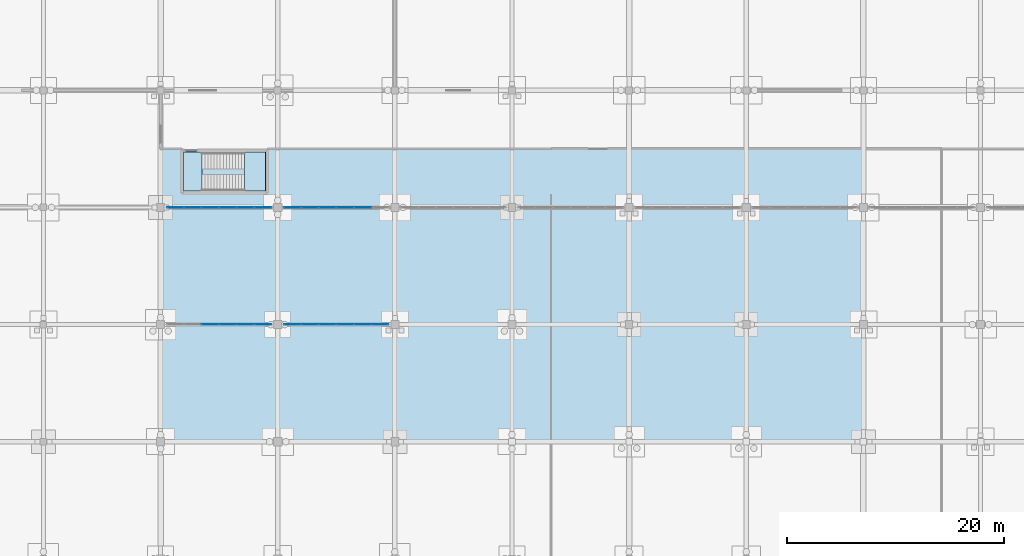
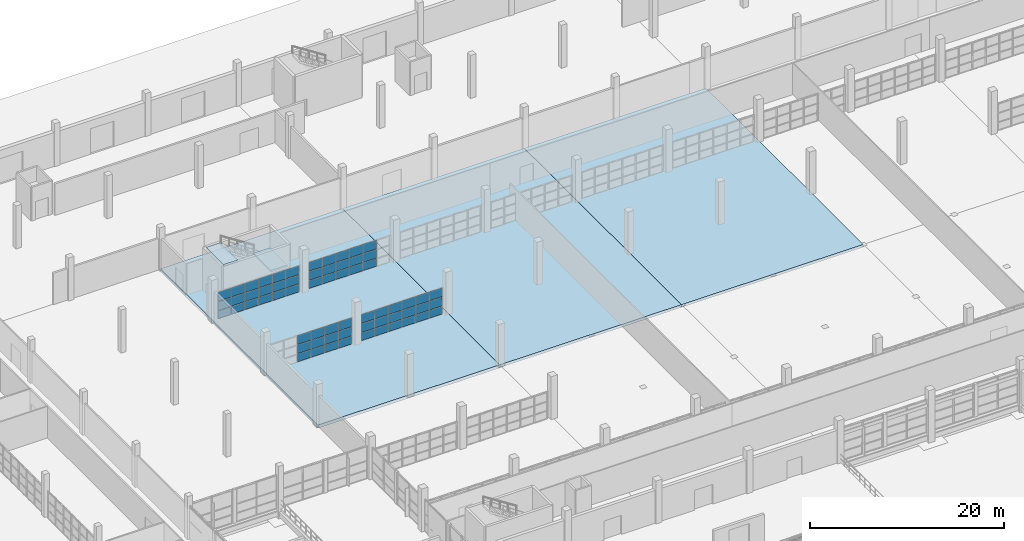
# One storey, part 90 of 138: 63 plates, 5 slabs, 5 elements without a shape of their own.
"""IFC4 building model written with IfcOpenShell, lengths in metres."""

import ifcopenshell
import ifcopenshell.guid

model = None  # the IFC model being written
_history = None  # IfcOwnerHistory: only IFC2X3 demands one
_inside = {}  # id of a spatial element -> (the spatial element, [elements in it])
_under = {}  # id of a project, library or spatial element -> (it, [spatial elements below it])
_declared = {}  # id of a project -> (the project, [libraries it declares])
_typed = {}  # id of a type object -> (the type object, [elements of that type])
_made_of = {}  # id of a material, layer set ... -> (it, [elements and type objects made of it])


def new_model(schema):
    """Start an empty IFC model of exactly this schema.

    Asked for "IFC4X3", IfcOpenShell would pick the latest addendum, in which some entities
    have other attributes; the version numbers below select the first issue.
    IFC2X3 requires an IfcOwnerHistory on every rooted entity: one is made here for all.
    """
    global model, _history
    if schema == "IFC4X3":
        model = ifcopenshell.file(schema_version=(4, 3, 0, 0))
    else:
        model = ifcopenshell.file(schema=schema)
    _inside.clear()
    _under.clear()
    _declared.clear()
    _typed.clear()
    _made_of.clear()
    _history = None
    if model.schema == "IFC2X3":
        org = make("IfcOrganization", Name="unknown")
        user = make(
            "IfcPersonAndOrganization",
            ThePerson=make("IfcPerson", FamilyName="unknown"),
            TheOrganization=org,
        )
        app = make(
            "IfcApplication",
            ApplicationDeveloper=org,
            Version="unknown",
            ApplicationFullName="unknown",
            ApplicationIdentifier="unknown",
        )
        _history = make(
            "IfcOwnerHistory",
            OwningUser=user,
            OwningApplication=app,
            ChangeAction="ADDED",
            CreationDate=0,
        )
    return model


def make(cls, **values):
    """One entity of the class cls with the attributes given. An attribute that is None is left unset."""
    return model.create_entity(
        cls, **{name: value for name, value in values.items() if value is not None}
    )


def rooted(cls, **values):
    """An entity with a GlobalId (a new one), such as an element, a storey or a relation."""
    return make(cls, GlobalId=ifcopenshell.guid.new(), OwnerHistory=_history, **values)


def si_unit(unit_type, name, prefix=None):
    """IfcSIUnit, for example si_unit("LENGTHUNIT", "METRE", prefix="MILLI")."""
    return make("IfcSIUnit", UnitType=unit_type, Prefix=prefix, Name=name)


def assignment(units):
    """IfcUnitAssignment: the units of a project."""
    return None if units is None else make("IfcUnitAssignment", Units=units)


def point(xyz):
    """IfcCartesianPoint."""
    return None if xyz is None else make("IfcCartesianPoint", Coordinates=xyz)


def direction(xyz):
    """IfcDirection."""
    return None if xyz is None else make("IfcDirection", DirectionRatios=xyz)


def frame(location, z_axis=None, x_axis=None):
    """IfcAxis2Placement3D, a coordinate frame: its origin and axes. An axis left out is left unset."""
    return make(
        "IfcAxis2Placement3D",
        Location=point(location),
        Axis=direction(z_axis),
        RefDirection=direction(x_axis),
    )


def frame_2d(location, x_axis=None):
    """IfcAxis2Placement2D, a coordinate frame in the plane: its origin and x axis."""
    return make(
        "IfcAxis2Placement2D", Location=point(location), RefDirection=direction(x_axis)
    )


def origin():
    """The frame at (0, 0, 0) with its axes left unset."""
    return frame((0.0, 0.0, 0.0))


def origin_2d():
    """The frame at (0, 0) in the plane with its x axis left unset."""
    return frame_2d((0.0, 0.0))


def place(relative_to, where):
    """IfcLocalPlacement: puts the frame where relative to a parent placement (None: the world)."""
    return make(
        "IfcLocalPlacement", PlacementRelTo=relative_to, RelativePlacement=where
    )


def context(
    kind, dimensions, precision=None, world=None, true_north=None, identifier=None
):
    """IfcGeometricRepresentationContext, for example the 3D "Model" context."""
    return make(
        "IfcGeometricRepresentationContext",
        ContextIdentifier=identifier,
        ContextType=kind,
        CoordinateSpaceDimension=dimensions,
        Precision=precision,
        WorldCoordinateSystem=world,
        TrueNorth=true_north,
    )


def subcontext(parent, identifier, kind, view, scale=None):
    """IfcGeometricRepresentationSubContext, for example "Body" below "Model"."""
    return make(
        "IfcGeometricRepresentationSubContext",
        ContextIdentifier=identifier,
        ContextType=kind,
        ParentContext=parent,
        TargetScale=scale,
        TargetView=view,
    )


def project(units=None, contexts=None):
    """IfcProject with its units and contexts."""
    return rooted(
        "IfcProject",
        Name="project",
        RepresentationContexts=contexts,
        UnitsInContext=assignment(units),
    )


def spatial(cls, under=None, at=None, **own):
    """A site, building, storey or space (cls), placed at a placement, below another one or the project."""
    s = rooted(cls, ObjectPlacement=at, **own)
    if under is not None:
        _under.setdefault(under.id(), (under, []))[1].append(s)
    return s


def polyline(points):
    """IfcPolyline through the points."""
    return make("IfcPolyline", Points=[point(p) for p in points])


def profile(cls, at=None, kind="AREA", **sizes):
    """A parametric profile (cls). Its sizes go by their IFC names, for example OverallWidth=200.0."""
    return make(cls, ProfileType=kind, Position=at, **sizes)


def rectangle(**sizes):
    """IfcRectangleProfileDef."""
    return profile("IfcRectangleProfileDef", **sizes)


def outline(outer, holes=None, kind="AREA"):
    """IfcArbitraryClosedProfileDef: a profile drawn as a closed curve; with holes, ...WithVoids."""
    if holes is None:
        return make("IfcArbitraryClosedProfileDef", ProfileType=kind, OuterCurve=outer)
    return make(
        "IfcArbitraryProfileDefWithVoids",
        ProfileType=kind,
        OuterCurve=outer,
        InnerCurves=holes,
    )


def extrude(swept, where, along, depth):
    """IfcExtrudedAreaSolid: the profile swept, set in the frame where, extruded along a direction by depth."""
    return make(
        "IfcExtrudedAreaSolid",
        SweptArea=swept,
        Position=where,
        ExtrudedDirection=direction(along),
        Depth=depth,
    )


def shape(context_of_items, identifier, shape_type, items):
    """IfcShapeRepresentation: the items that make up one representation, for example the "Body"."""
    return make(
        "IfcShapeRepresentation",
        ContextOfItems=context_of_items,
        RepresentationIdentifier=identifier,
        RepresentationType=shape_type,
        Items=items,
    )


def material(Name=None, Category=None):
    """IfcMaterial."""
    return make("IfcMaterial", Name=Name, Category=Category)


def layer(
    of_material, thickness, ventilated=None, Name=None, Category=None, Priority=None
):
    """IfcMaterialLayer: one layer of a wall or slab, of a material (None: an air gap)."""
    return make(
        "IfcMaterialLayer",
        Material=of_material,
        LayerThickness=thickness,
        IsVentilated=ventilated,
        Name=Name,
        Category=Category,
        Priority=Priority,
    )


def layer_set(layers, Name=None):
    """IfcMaterialLayerSet."""
    return make("IfcMaterialLayerSet", MaterialLayers=layers, LayerSetName=Name)


def made_of(thing, what):
    """Note that an element or type object is made of a material, layer set ...; save() writes the relation."""
    if what is not None:
        _made_of.setdefault(what.id(), (what, []))[1].append(thing)
    return thing


def type_object(cls, material=None, **own):
    """A type object (cls), such as IfcWallType, which elements share."""
    return made_of(rooted(cls, **own), material)


def element(
    cls,
    number,
    at=None,
    inside=None,
    cuts=None,
    type_object=None,
    material=None,
    context=None,
    identifier="Body",
    shape_type=None,
    held_by="IfcProductDefinitionShape",
    body=None,
    shapes=None,
    **own,
):
    """One element of the class cls, such as IfcWall. Its Tag is "e" and its number.

    at: its placement. inside: the storey or other place that contains it. cuts: it is an
    opening in that element (IfcRelVoidsElement). A single representation is given by context,
    identifier, shape_type and body (its items); several are given by shapes. held_by: the class
    of the entity that holds the representations. save() writes the other relations.
    """
    e = rooted(cls, Tag="e%d" % number, ObjectPlacement=at, **own)
    if body is not None:
        shapes = [shape(context, identifier, shape_type, body)]
    if shapes is not None:
        e.Representation = make(held_by, Representations=shapes)
    if inside is not None:
        _inside.setdefault(inside.id(), (inside, []))[1].append(e)
    if cuts is not None:
        rooted(
            "IfcRelVoidsElement", RelatingBuildingElement=cuts, RelatedOpeningElement=e
        )
    if type_object is not None:
        _typed.setdefault(type_object.id(), (type_object, []))[1].append(e)
    return made_of(e, material)


def aggregate(whole, parts):
    """IfcRelAggregates: a whole, such as a stair, and the parts it consists of."""
    return rooted("IfcRelAggregates", RelatingObject=whole, RelatedObjects=parts)


def save(model, path):
    """Write the relations noted so far, then the file.

    IfcRelAggregates (storeys below a building ...), IfcRelContainedInSpatialStructure (elements
    in a storey), IfcRelDefinesByType, IfcRelAssociatesMaterial and IfcRelDeclares: one each for
    every whole, place, type object, material and project.
    """
    for whole, parts in _under.values():
        aggregate(whole, parts)
    for where, things in _inside.values():
        rooted(
            "IfcRelContainedInSpatialStructure",
            RelatedElements=things,
            RelatingStructure=where,
        )
    for kind, things in _typed.values():
        rooted("IfcRelDefinesByType", RelatedObjects=things, RelatingType=kind)
    for what, things in _made_of.values():
        rooted("IfcRelAssociatesMaterial", RelatedObjects=things, RelatingMaterial=what)
    for by, libraries in _declared.values():
        rooted("IfcRelDeclares", RelatingContext=by, RelatedDefinitions=libraries)
    model.write(path)


model = new_model("IFC4")

# Units and contexts
model_context = context("Model", 3, precision=1e-05, world=origin(), true_north=direction((0.0, 1.0)))
body_context = subcontext(model_context, "Body", "Model", "MODEL_VIEW")
ifc_project = project(units=[si_unit("LENGTHUNIT", "METRE"), si_unit("AREAUNIT", "SQUARE_METRE"), si_unit("VOLUMEUNIT", "CUBIC_METRE"), si_unit("PLANEANGLEUNIT", "RADIAN"), si_unit("MASSUNIT", "GRAM", prefix="KILO")], contexts=[model_context])

# Site, building, storey
site_placement = place(None, origin())
site = spatial("IfcSite", under=ifc_project, at=site_placement, CompositionType="ELEMENT")
building_placement = place(site_placement, origin())
building = spatial("IfcBuilding", under=site, at=building_placement, Name="Zwinboog Wholesale Market", CompositionType="ELEMENT")
storey_placement = place(building_placement, origin())
storey = spatial("IfcBuildingStorey", under=building, at=storey_placement, Name="L00", CompositionType="ELEMENT", Elevation=0.0)

# Slabs
ifc_material_1 = material(Name="Precast concrete C45/55", Category="concrete")
ifc_layer_1 = layer(ifc_material_1, 0.342041015625)
ifc_layer_set_1 = layer_set([ifc_layer_1], Name="Precast concrete C45/55")
slab_type_1 = type_object("IfcSlabType", Name="SLT-BS-310", PredefinedType="BASESLAB", material=ifc_layer_set_1)
slab_1_placement = place(storey_placement, frame((0.0, 0.0, -0.342041015625)))
element("IfcSlab", 1, at=slab_1_placement, inside=storey, type_object=slab_type_1, Name="SB-342 (SLB-L00-011)", PredefinedType="BASESLAB", context=body_context, shape_type="SweptSolid", body=[
    extrude(outline(polyline([(108.0, 75.60009765625), (129.60009765625, 75.60009765625), (129.60009765625, 108.0), (108.0, 108.0), (108.0, 75.60009765625)])), origin(), (0.0, 0.0, 1.0), 0.342041015625),
])
ifc_layer_2 = layer(ifc_material_1, 0.35009765625)
ifc_layer_set_2 = layer_set([ifc_layer_2], Name="Precast concrete C45/55")
slab_type_2 = type_object("IfcSlabType", Name="SLT-BS-350", PredefinedType="BASESLAB", material=ifc_layer_set_2)
slab_2_placement = place(storey_placement, frame((0.0, 0.0, -0.35009765625)))
element("IfcSlab", 2, at=slab_2_placement, inside=storey, type_object=slab_type_2, Name="SB-350 (SLB-L00-009)", PredefinedType="BASESLAB", context=body_context, shape_type="SweptSolid", body=[
    extrude(outline(polyline([(86.39990234375, 75.60009765625), (108.0, 75.60009765625), (108.0, 108.0), (86.39990234375, 108.0), (86.39990234375, 75.60009765625)])), origin(), (0.0, 0.0, 1.0), 0.35009765625),
])
ifc_layer_3 = layer(ifc_material_1, 0.39501953125)
ifc_layer_set_3 = layer_set([ifc_layer_3], Name="Precast concrete C45/55")
slab_type_3 = type_object("IfcSlabType", Name="SLT-BS-395", PredefinedType="BASESLAB", material=ifc_layer_set_3)
slab_3_placement = place(storey_placement, frame((0.0, 0.0, -0.39501953125)))
element("IfcSlab", 3, at=slab_3_placement, inside=storey, type_object=slab_type_3, Name="SB-395 (SLB-L00-007)", PredefinedType="BASESLAB", context=body_context, shape_type="SweptSolid", body=[
    extrude(outline(polyline([(64.800048828125, 75.60009765625), (86.39990234375, 75.60009765625), (86.39990234375, 108.0), (64.800048828125, 108.0), (64.800048828125, 75.60009765625)])), origin(), (0.0, 0.0, 1.0), 0.39501953125),
])

# Curtain wall, plates
ifc_material_2 = material(Name="Aluminium thermally broken curtain wall", Category="aluminium")
curtain_wall_type = type_object("IfcCurtainWallType", Name="CWT-INT-STALL", PredefinedType="USERDEFINED", material=ifc_material_2)
curtain_wall_1_placement = place(storey_placement, origin())
curtain_wall_1 = element("IfcCurtainWall", 4, at=curtain_wall_1_placement, inside=storey, type_object=curtain_wall_type, Name="CW-07 (CW-STL-195)", ObjectType="STOREFRONT_GLAZING", PredefinedType="USERDEFINED")
ifc_material_3 = material(Name="Tempered laminated market stall glazing", Category="glass")
ifc_layer_4 = layer(ifc_material_3, 0.01611328125)
ifc_layer_set_4 = layer_set([ifc_layer_4], Name="Tempered laminated market stall glazing")
plate_type = type_object("IfcPlateType", Name="CWP-INT-16", PredefinedType="CURTAIN_PANEL", material=ifc_layer_set_4)
plate_1_placement = place(storey_placement, frame((69.3916015625, 86.39990234375, 0.06005859375), z_axis=(0.0, 0.0, 1.0), x_axis=(1.0, 0.0, 0.0)))
plate_1 = element("IfcPlate", 5, at=plate_1_placement, type_object=plate_type, Name="CW-07 panel 3.1", PredefinedType="CURTAIN_PANEL", context=body_context, shape_type="SweptSolid", body=[
    extrude(rectangle(XDim=1.556640625, YDim=0.01611328125, at=origin_2d()), origin(), (0.0, 0.0, 1.0), 0.9599609375),
])
plate_2_placement = place(storey_placement, frame((69.3916015625, 86.39990234375, 1.080078125), z_axis=(0.0, 0.0, 1.0), x_axis=(1.0, 0.0, 0.0)))
plate_2 = element("IfcPlate", 6, at=plate_2_placement, type_object=plate_type, Name="CW-07 panel 3.2", PredefinedType="CURTAIN_PANEL", context=body_context, shape_type="SweptSolid", body=[
    extrude(rectangle(XDim=1.556640625, YDim=0.01611328125, at=origin_2d()), origin(), (0.0, 0.0, 1.0), 1.090087890625),
])
plate_3_placement = place(storey_placement, frame((69.3916015625, 86.39990234375, 2.22998046875), z_axis=(0.0, 0.0, 1.0), x_axis=(1.0, 0.0, 0.0)))
plate_3 = element("IfcPlate", 7, at=plate_3_placement, type_object=plate_type, Name="CW-07 panel 3.3", PredefinedType="CURTAIN_PANEL", context=body_context, shape_type="SweptSolid", body=[
    extrude(rectangle(XDim=1.556640625, YDim=0.01611328125, at=origin_2d()), origin(), (0.0, 0.0, 1.0), 1.110107421875),
])
plate_4_placement = place(storey_placement, frame((71.00830078125, 86.39990234375, 0.06005859375), z_axis=(0.0, 0.0, 1.0), x_axis=(1.0, 0.0, 0.0)))
plate_4 = element("IfcPlate", 8, at=plate_4_placement, type_object=plate_type, Name="CW-07 panel 4.1", PredefinedType="CURTAIN_PANEL", context=body_context, shape_type="SweptSolid", body=[
    extrude(rectangle(XDim=1.556640625, YDim=0.01611328125, at=origin_2d()), origin(), (0.0, 0.0, 1.0), 0.9599609375),
])
plate_5_placement = place(storey_placement, frame((71.00830078125, 86.39990234375, 1.080078125), z_axis=(0.0, 0.0, 1.0), x_axis=(1.0, 0.0, 0.0)))
plate_5 = element("IfcPlate", 9, at=plate_5_placement, type_object=plate_type, Name="CW-07 panel 4.2", PredefinedType="CURTAIN_PANEL", context=body_context, shape_type="SweptSolid", body=[
    extrude(rectangle(XDim=1.556640625, YDim=0.01611328125, at=origin_2d()), origin(), (0.0, 0.0, 1.0), 1.090087890625),
])
plate_6_placement = place(storey_placement, frame((71.00830078125, 86.39990234375, 2.22998046875), z_axis=(0.0, 0.0, 1.0), x_axis=(1.0, 0.0, 0.0)))
plate_6 = element("IfcPlate", 10, at=plate_6_placement, type_object=plate_type, Name="CW-07 panel 4.3", PredefinedType="CURTAIN_PANEL", context=body_context, shape_type="SweptSolid", body=[
    extrude(rectangle(XDim=1.556640625, YDim=0.01611328125, at=origin_2d()), origin(), (0.0, 0.0, 1.0), 1.110107421875),
])
plate_7_placement = place(storey_placement, frame((72.625, 86.39990234375, 0.06005859375), z_axis=(0.0, 0.0, 1.0), x_axis=(1.0, 0.0, 0.0)))
plate_7 = element("IfcPlate", 11, at=plate_7_placement, type_object=plate_type, Name="CW-07 panel 5.1", PredefinedType="CURTAIN_PANEL", context=body_context, shape_type="SweptSolid", body=[
    extrude(rectangle(XDim=1.556640625, YDim=0.01611328125, at=origin_2d()), origin(), (0.0, 0.0, 1.0), 0.9599609375),
])
plate_8_placement = place(storey_placement, frame((72.625, 86.39990234375, 1.080078125), z_axis=(0.0, 0.0, 1.0), x_axis=(1.0, 0.0, 0.0)))
plate_8 = element("IfcPlate", 12, at=plate_8_placement, type_object=plate_type, Name="CW-07 panel 5.2", PredefinedType="CURTAIN_PANEL", context=body_context, shape_type="SweptSolid", body=[
    extrude(rectangle(XDim=1.556640625, YDim=0.01611328125, at=origin_2d()), origin(), (0.0, 0.0, 1.0), 1.090087890625),
])
plate_9_placement = place(storey_placement, frame((72.625, 86.39990234375, 2.22998046875), z_axis=(0.0, 0.0, 1.0), x_axis=(1.0, 0.0, 0.0)))
plate_9 = element("IfcPlate", 13, at=plate_9_placement, type_object=plate_type, Name="CW-07 panel 5.3", PredefinedType="CURTAIN_PANEL", context=body_context, shape_type="SweptSolid", body=[
    extrude(rectangle(XDim=1.556640625, YDim=0.01611328125, at=origin_2d()), origin(), (0.0, 0.0, 1.0), 1.110107421875),
])
plate_10_placement = place(storey_placement, frame((74.2265625, 86.39990234375, 0.06005859375), z_axis=(0.0, 0.0, 1.0), x_axis=(1.0, 0.0, 0.0)))
plate_10 = element("IfcPlate", 14, at=plate_10_placement, type_object=plate_type, Name="CW-07 panel 6.1", PredefinedType="CURTAIN_PANEL", context=body_context, shape_type="SweptSolid", body=[
    extrude(rectangle(XDim=1.526611328125, YDim=0.01611328125, at=origin_2d()), origin(), (0.0, 0.0, 1.0), 0.9599609375),
])
plate_11_placement = place(storey_placement, frame((74.2265625, 86.39990234375, 1.080078125), z_axis=(0.0, 0.0, 1.0), x_axis=(1.0, 0.0, 0.0)))
plate_11 = element("IfcPlate", 15, at=plate_11_placement, type_object=plate_type, Name="CW-07 panel 6.2", PredefinedType="CURTAIN_PANEL", context=body_context, shape_type="SweptSolid", body=[
    extrude(rectangle(XDim=1.526611328125, YDim=0.01611328125, at=origin_2d()), origin(), (0.0, 0.0, 1.0), 1.090087890625),
])
plate_12_placement = place(storey_placement, frame((74.2265625, 86.39990234375, 2.22998046875), z_axis=(0.0, 0.0, 1.0), x_axis=(1.0, 0.0, 0.0)))
plate_12 = element("IfcPlate", 16, at=plate_12_placement, type_object=plate_type, Name="CW-07 panel 6.3", PredefinedType="CURTAIN_PANEL", context=body_context, shape_type="SweptSolid", body=[
    extrude(rectangle(XDim=1.526611328125, YDim=0.01611328125, at=origin_2d()), origin(), (0.0, 0.0, 1.0), 1.110107421875),
])
aggregate(curtain_wall_1, [plate_1, plate_2, plate_3, plate_4, plate_5, plate_6, plate_7, plate_8, plate_9, plate_10, plate_11, plate_12])

curtain_wall_2_placement = place(storey_placement, origin())
curtain_wall_2 = element("IfcCurtainWall", 17, at=curtain_wall_2_placement, inside=storey, type_object=curtain_wall_type, Name="CW-07 (CW-STL-196)", ObjectType="STOREFRONT_GLAZING", PredefinedType="USERDEFINED")
plate_13_placement = place(storey_placement, frame((76.973388671875, 86.39990234375, 0.06005859375), z_axis=(0.0, 0.0, 1.0), x_axis=(1.0, 0.0, 0.0)))
plate_13 = element("IfcPlate", 18, at=plate_13_placement, type_object=plate_type, Name="CW-07 panel 1.1", PredefinedType="CURTAIN_PANEL", context=body_context, shape_type="SweptSolid", body=[
    extrude(rectangle(XDim=1.526611328125, YDim=0.01611328125, at=origin_2d()), origin(), (0.0, 0.0, 1.0), 0.9599609375),
])
plate_14_placement = place(storey_placement, frame((76.973388671875, 86.39990234375, 1.080078125), z_axis=(0.0, 0.0, 1.0), x_axis=(1.0, 0.0, 0.0)))
plate_14 = element("IfcPlate", 19, at=plate_14_placement, type_object=plate_type, Name="CW-07 panel 1.2", PredefinedType="CURTAIN_PANEL", context=body_context, shape_type="SweptSolid", body=[
    extrude(rectangle(XDim=1.526611328125, YDim=0.01611328125, at=origin_2d()), origin(), (0.0, 0.0, 1.0), 1.090087890625),
])
plate_15_placement = place(storey_placement, frame((76.973388671875, 86.39990234375, 2.22998046875), z_axis=(0.0, 0.0, 1.0), x_axis=(1.0, 0.0, 0.0)))
plate_15 = element("IfcPlate", 20, at=plate_15_placement, type_object=plate_type, Name="CW-07 panel 1.3", PredefinedType="CURTAIN_PANEL", context=body_context, shape_type="SweptSolid", body=[
    extrude(rectangle(XDim=1.526611328125, YDim=0.01611328125, at=origin_2d()), origin(), (0.0, 0.0, 1.0), 1.110107421875),
])
plate_16_placement = place(storey_placement, frame((78.574951171875, 86.39990234375, 0.06005859375), z_axis=(0.0, 0.0, 1.0), x_axis=(1.0, 0.0, 0.0)))
plate_16 = element("IfcPlate", 21, at=plate_16_placement, type_object=plate_type, Name="CW-07 panel 2.1", PredefinedType="CURTAIN_PANEL", context=body_context, shape_type="SweptSolid", body=[
    extrude(rectangle(XDim=1.556640625, YDim=0.01611328125, at=origin_2d()), origin(), (0.0, 0.0, 1.0), 0.9599609375),
])
plate_17_placement = place(storey_placement, frame((78.574951171875, 86.39990234375, 1.080078125), z_axis=(0.0, 0.0, 1.0), x_axis=(1.0, 0.0, 0.0)))
plate_17 = element("IfcPlate", 22, at=plate_17_placement, type_object=plate_type, Name="CW-07 panel 2.2", PredefinedType="CURTAIN_PANEL", context=body_context, shape_type="SweptSolid", body=[
    extrude(rectangle(XDim=1.556640625, YDim=0.01611328125, at=origin_2d()), origin(), (0.0, 0.0, 1.0), 1.090087890625),
])
plate_18_placement = place(storey_placement, frame((78.574951171875, 86.39990234375, 2.22998046875), z_axis=(0.0, 0.0, 1.0), x_axis=(1.0, 0.0, 0.0)))
plate_18 = element("IfcPlate", 23, at=plate_18_placement, type_object=plate_type, Name="CW-07 panel 2.3", PredefinedType="CURTAIN_PANEL", context=body_context, shape_type="SweptSolid", body=[
    extrude(rectangle(XDim=1.556640625, YDim=0.01611328125, at=origin_2d()), origin(), (0.0, 0.0, 1.0), 1.110107421875),
])
plate_19_placement = place(storey_placement, frame((80.191650390625, 86.39990234375, 0.06005859375), z_axis=(0.0, 0.0, 1.0), x_axis=(1.0, 0.0, 0.0)))
plate_19 = element("IfcPlate", 24, at=plate_19_placement, type_object=plate_type, Name="CW-07 panel 3.1", PredefinedType="CURTAIN_PANEL", context=body_context, shape_type="SweptSolid", body=[
    extrude(rectangle(XDim=1.556640625, YDim=0.01611328125, at=origin_2d()), origin(), (0.0, 0.0, 1.0), 0.9599609375),
])
plate_20_placement = place(storey_placement, frame((80.191650390625, 86.39990234375, 1.080078125), z_axis=(0.0, 0.0, 1.0), x_axis=(1.0, 0.0, 0.0)))
plate_20 = element("IfcPlate", 25, at=plate_20_placement, type_object=plate_type, Name="CW-07 panel 3.2", PredefinedType="CURTAIN_PANEL", context=body_context, shape_type="SweptSolid", body=[
    extrude(rectangle(XDim=1.556640625, YDim=0.01611328125, at=origin_2d()), origin(), (0.0, 0.0, 1.0), 1.090087890625),
])
plate_21_placement = place(storey_placement, frame((80.191650390625, 86.39990234375, 2.22998046875), z_axis=(0.0, 0.0, 1.0), x_axis=(1.0, 0.0, 0.0)))
plate_21 = element("IfcPlate", 26, at=plate_21_placement, type_object=plate_type, Name="CW-07 panel 3.3", PredefinedType="CURTAIN_PANEL", context=body_context, shape_type="SweptSolid", body=[
    extrude(rectangle(XDim=1.556640625, YDim=0.01611328125, at=origin_2d()), origin(), (0.0, 0.0, 1.0), 1.110107421875),
])
plate_22_placement = place(storey_placement, frame((81.808349609375, 86.39990234375, 0.06005859375), z_axis=(0.0, 0.0, 1.0), x_axis=(1.0, 0.0, 0.0)))
plate_22 = element("IfcPlate", 27, at=plate_22_placement, type_object=plate_type, Name="CW-07 panel 4.1", PredefinedType="CURTAIN_PANEL", context=body_context, shape_type="SweptSolid", body=[
    extrude(rectangle(XDim=1.556640625, YDim=0.01611328125, at=origin_2d()), origin(), (0.0, 0.0, 1.0), 0.9599609375),
])
plate_23_placement = place(storey_placement, frame((81.808349609375, 86.39990234375, 1.080078125), z_axis=(0.0, 0.0, 1.0), x_axis=(1.0, 0.0, 0.0)))
plate_23 = element("IfcPlate", 28, at=plate_23_placement, type_object=plate_type, Name="CW-07 panel 4.2", PredefinedType="CURTAIN_PANEL", context=body_context, shape_type="SweptSolid", body=[
    extrude(rectangle(XDim=1.556640625, YDim=0.01611328125, at=origin_2d()), origin(), (0.0, 0.0, 1.0), 1.090087890625),
])
plate_24_placement = place(storey_placement, frame((81.808349609375, 86.39990234375, 2.22998046875), z_axis=(0.0, 0.0, 1.0), x_axis=(1.0, 0.0, 0.0)))
plate_24 = element("IfcPlate", 29, at=plate_24_placement, type_object=plate_type, Name="CW-07 panel 4.3", PredefinedType="CURTAIN_PANEL", context=body_context, shape_type="SweptSolid", body=[
    extrude(rectangle(XDim=1.556640625, YDim=0.01611328125, at=origin_2d()), origin(), (0.0, 0.0, 1.0), 1.110107421875),
])
plate_25_placement = place(storey_placement, frame((83.425048828125, 86.39990234375, 0.06005859375), z_axis=(0.0, 0.0, 1.0), x_axis=(1.0, 0.0, 0.0)))
plate_25 = element("IfcPlate", 30, at=plate_25_placement, type_object=plate_type, Name="CW-07 panel 5.1", PredefinedType="CURTAIN_PANEL", context=body_context, shape_type="SweptSolid", body=[
    extrude(rectangle(XDim=1.556640625, YDim=0.01611328125, at=origin_2d()), origin(), (0.0, 0.0, 1.0), 0.9599609375),
])
plate_26_placement = place(storey_placement, frame((83.425048828125, 86.39990234375, 1.080078125), z_axis=(0.0, 0.0, 1.0), x_axis=(1.0, 0.0, 0.0)))
plate_26 = element("IfcPlate", 31, at=plate_26_placement, type_object=plate_type, Name="CW-07 panel 5.2", PredefinedType="CURTAIN_PANEL", context=body_context, shape_type="SweptSolid", body=[
    extrude(rectangle(XDim=1.556640625, YDim=0.01611328125, at=origin_2d()), origin(), (0.0, 0.0, 1.0), 1.090087890625),
])
plate_27_placement = place(storey_placement, frame((83.425048828125, 86.39990234375, 2.22998046875), z_axis=(0.0, 0.0, 1.0), x_axis=(1.0, 0.0, 0.0)))
plate_27 = element("IfcPlate", 32, at=plate_27_placement, type_object=plate_type, Name="CW-07 panel 5.3", PredefinedType="CURTAIN_PANEL", context=body_context, shape_type="SweptSolid", body=[
    extrude(rectangle(XDim=1.556640625, YDim=0.01611328125, at=origin_2d()), origin(), (0.0, 0.0, 1.0), 1.110107421875),
])
plate_28_placement = place(storey_placement, frame((85.026611328125, 86.39990234375, 0.06005859375), z_axis=(0.0, 0.0, 1.0), x_axis=(1.0, 0.0, 0.0)))
plate_28 = element("IfcPlate", 33, at=plate_28_placement, type_object=plate_type, Name="CW-07 panel 6.1", PredefinedType="CURTAIN_PANEL", context=body_context, shape_type="SweptSolid", body=[
    extrude(rectangle(XDim=1.526611328125, YDim=0.01611328125, at=origin_2d()), origin(), (0.0, 0.0, 1.0), 0.9599609375),
])
plate_29_placement = place(storey_placement, frame((85.026611328125, 86.39990234375, 1.080078125), z_axis=(0.0, 0.0, 1.0), x_axis=(1.0, 0.0, 0.0)))
plate_29 = element("IfcPlate", 34, at=plate_29_placement, type_object=plate_type, Name="CW-07 panel 6.2", PredefinedType="CURTAIN_PANEL", context=body_context, shape_type="SweptSolid", body=[
    extrude(rectangle(XDim=1.526611328125, YDim=0.01611328125, at=origin_2d()), origin(), (0.0, 0.0, 1.0), 1.090087890625),
])
plate_30_placement = place(storey_placement, frame((85.026611328125, 86.39990234375, 2.22998046875), z_axis=(0.0, 0.0, 1.0), x_axis=(1.0, 0.0, 0.0)))
plate_30 = element("IfcPlate", 35, at=plate_30_placement, type_object=plate_type, Name="CW-07 panel 6.3", PredefinedType="CURTAIN_PANEL", context=body_context, shape_type="SweptSolid", body=[
    extrude(rectangle(XDim=1.526611328125, YDim=0.01611328125, at=origin_2d()), origin(), (0.0, 0.0, 1.0), 1.110107421875),
])
aggregate(curtain_wall_2, [plate_13, plate_14, plate_15, plate_16, plate_17, plate_18, plate_19, plate_20, plate_21, plate_22, plate_23, plate_24, plate_25, plate_26, plate_27, plate_28, plate_29, plate_30])

curtain_wall_3_placement = place(storey_placement, origin())
curtain_wall_3 = element("IfcCurtainWall", 36, at=curtain_wall_3_placement, inside=storey, type_object=curtain_wall_type, Name="CW-07 (CW-STL-199)", ObjectType="STOREFRONT_GLAZING", PredefinedType="USERDEFINED")
plate_31_placement = place(storey_placement, frame((66.17333984375, 97.199951171875, 0.06005859375), z_axis=(0.0, 0.0, 1.0), x_axis=(1.0, 0.0, 0.0)))
plate_31 = element("IfcPlate", 37, at=plate_31_placement, type_object=plate_type, Name="CW-07 panel 1.1", PredefinedType="CURTAIN_PANEL", context=body_context, shape_type="SweptSolid", body=[
    extrude(rectangle(XDim=1.526611328125, YDim=0.01611328125, at=origin_2d()), origin(), (0.0, 0.0, 1.0), 0.9599609375),
])
plate_32_placement = place(storey_placement, frame((66.17333984375, 97.199951171875, 1.080078125), z_axis=(0.0, 0.0, 1.0), x_axis=(1.0, 0.0, 0.0)))
plate_32 = element("IfcPlate", 38, at=plate_32_placement, type_object=plate_type, Name="CW-07 panel 1.2", PredefinedType="CURTAIN_PANEL", context=body_context, shape_type="SweptSolid", body=[
    extrude(rectangle(XDim=1.526611328125, YDim=0.01611328125, at=origin_2d()), origin(), (0.0, 0.0, 1.0), 1.090087890625),
])
plate_33_placement = place(storey_placement, frame((66.17333984375, 97.199951171875, 2.22998046875), z_axis=(0.0, 0.0, 1.0), x_axis=(1.0, 0.0, 0.0)))
plate_33 = element("IfcPlate", 39, at=plate_33_placement, type_object=plate_type, Name="CW-07 panel 1.3", PredefinedType="CURTAIN_PANEL", context=body_context, shape_type="SweptSolid", body=[
    extrude(rectangle(XDim=1.526611328125, YDim=0.01611328125, at=origin_2d()), origin(), (0.0, 0.0, 1.0), 1.110107421875),
])
plate_34_placement = place(storey_placement, frame((67.77490234375, 97.199951171875, 0.06005859375), z_axis=(0.0, 0.0, 1.0), x_axis=(1.0, 0.0, 0.0)))
plate_34 = element("IfcPlate", 40, at=plate_34_placement, type_object=plate_type, Name="CW-07 panel 2.1", PredefinedType="CURTAIN_PANEL", context=body_context, shape_type="SweptSolid", body=[
    extrude(rectangle(XDim=1.556640625, YDim=0.01611328125, at=origin_2d()), origin(), (0.0, 0.0, 1.0), 0.9599609375),
])
plate_35_placement = place(storey_placement, frame((67.77490234375, 97.199951171875, 1.080078125), z_axis=(0.0, 0.0, 1.0), x_axis=(1.0, 0.0, 0.0)))
plate_35 = element("IfcPlate", 41, at=plate_35_placement, type_object=plate_type, Name="CW-07 panel 2.2", PredefinedType="CURTAIN_PANEL", context=body_context, shape_type="SweptSolid", body=[
    extrude(rectangle(XDim=1.556640625, YDim=0.01611328125, at=origin_2d()), origin(), (0.0, 0.0, 1.0), 1.090087890625),
])
plate_36_placement = place(storey_placement, frame((67.77490234375, 97.199951171875, 2.22998046875), z_axis=(0.0, 0.0, 1.0), x_axis=(1.0, 0.0, 0.0)))
plate_36 = element("IfcPlate", 42, at=plate_36_placement, type_object=plate_type, Name="CW-07 panel 2.3", PredefinedType="CURTAIN_PANEL", context=body_context, shape_type="SweptSolid", body=[
    extrude(rectangle(XDim=1.556640625, YDim=0.01611328125, at=origin_2d()), origin(), (0.0, 0.0, 1.0), 1.110107421875),
])
plate_37_placement = place(storey_placement, frame((69.3916015625, 97.199951171875, 0.06005859375), z_axis=(0.0, 0.0, 1.0), x_axis=(1.0, 0.0, 0.0)))
plate_37 = element("IfcPlate", 43, at=plate_37_placement, type_object=plate_type, Name="CW-07 panel 3.1", PredefinedType="CURTAIN_PANEL", context=body_context, shape_type="SweptSolid", body=[
    extrude(rectangle(XDim=1.556640625, YDim=0.01611328125, at=origin_2d()), origin(), (0.0, 0.0, 1.0), 0.9599609375),
])
plate_38_placement = place(storey_placement, frame((69.3916015625, 97.199951171875, 1.080078125), z_axis=(0.0, 0.0, 1.0), x_axis=(1.0, 0.0, 0.0)))
plate_38 = element("IfcPlate", 44, at=plate_38_placement, type_object=plate_type, Name="CW-07 panel 3.2", PredefinedType="CURTAIN_PANEL", context=body_context, shape_type="SweptSolid", body=[
    extrude(rectangle(XDim=1.556640625, YDim=0.01611328125, at=origin_2d()), origin(), (0.0, 0.0, 1.0), 1.090087890625),
])
plate_39_placement = place(storey_placement, frame((69.3916015625, 97.199951171875, 2.22998046875), z_axis=(0.0, 0.0, 1.0), x_axis=(1.0, 0.0, 0.0)))
plate_39 = element("IfcPlate", 45, at=plate_39_placement, type_object=plate_type, Name="CW-07 panel 3.3", PredefinedType="CURTAIN_PANEL", context=body_context, shape_type="SweptSolid", body=[
    extrude(rectangle(XDim=1.556640625, YDim=0.01611328125, at=origin_2d()), origin(), (0.0, 0.0, 1.0), 1.110107421875),
])
plate_40_placement = place(storey_placement, frame((71.00830078125, 97.199951171875, 0.06005859375), z_axis=(0.0, 0.0, 1.0), x_axis=(1.0, 0.0, 0.0)))
plate_40 = element("IfcPlate", 46, at=plate_40_placement, type_object=plate_type, Name="CW-07 panel 4.1", PredefinedType="CURTAIN_PANEL", context=body_context, shape_type="SweptSolid", body=[
    extrude(rectangle(XDim=1.556640625, YDim=0.01611328125, at=origin_2d()), origin(), (0.0, 0.0, 1.0), 0.9599609375),
])
plate_41_placement = place(storey_placement, frame((71.00830078125, 97.199951171875, 1.080078125), z_axis=(0.0, 0.0, 1.0), x_axis=(1.0, 0.0, 0.0)))
plate_41 = element("IfcPlate", 47, at=plate_41_placement, type_object=plate_type, Name="CW-07 panel 4.2", PredefinedType="CURTAIN_PANEL", context=body_context, shape_type="SweptSolid", body=[
    extrude(rectangle(XDim=1.556640625, YDim=0.01611328125, at=origin_2d()), origin(), (0.0, 0.0, 1.0), 1.090087890625),
])
plate_42_placement = place(storey_placement, frame((71.00830078125, 97.199951171875, 2.22998046875), z_axis=(0.0, 0.0, 1.0), x_axis=(1.0, 0.0, 0.0)))
plate_42 = element("IfcPlate", 48, at=plate_42_placement, type_object=plate_type, Name="CW-07 panel 4.3", PredefinedType="CURTAIN_PANEL", context=body_context, shape_type="SweptSolid", body=[
    extrude(rectangle(XDim=1.556640625, YDim=0.01611328125, at=origin_2d()), origin(), (0.0, 0.0, 1.0), 1.110107421875),
])
plate_43_placement = place(storey_placement, frame((72.625, 97.199951171875, 0.06005859375), z_axis=(0.0, 0.0, 1.0), x_axis=(1.0, 0.0, 0.0)))
plate_43 = element("IfcPlate", 49, at=plate_43_placement, type_object=plate_type, Name="CW-07 panel 5.1", PredefinedType="CURTAIN_PANEL", context=body_context, shape_type="SweptSolid", body=[
    extrude(rectangle(XDim=1.556640625, YDim=0.01611328125, at=origin_2d()), origin(), (0.0, 0.0, 1.0), 0.9599609375),
])
plate_44_placement = place(storey_placement, frame((72.625, 97.199951171875, 1.080078125), z_axis=(0.0, 0.0, 1.0), x_axis=(1.0, 0.0, 0.0)))
plate_44 = element("IfcPlate", 50, at=plate_44_placement, type_object=plate_type, Name="CW-07 panel 5.2", PredefinedType="CURTAIN_PANEL", context=body_context, shape_type="SweptSolid", body=[
    extrude(rectangle(XDim=1.556640625, YDim=0.01611328125, at=origin_2d()), origin(), (0.0, 0.0, 1.0), 1.090087890625),
])
plate_45_placement = place(storey_placement, frame((72.625, 97.199951171875, 2.22998046875), z_axis=(0.0, 0.0, 1.0), x_axis=(1.0, 0.0, 0.0)))
plate_45 = element("IfcPlate", 51, at=plate_45_placement, type_object=plate_type, Name="CW-07 panel 5.3", PredefinedType="CURTAIN_PANEL", context=body_context, shape_type="SweptSolid", body=[
    extrude(rectangle(XDim=1.556640625, YDim=0.01611328125, at=origin_2d()), origin(), (0.0, 0.0, 1.0), 1.110107421875),
])
plate_46_placement = place(storey_placement, frame((74.2265625, 97.199951171875, 0.06005859375), z_axis=(0.0, 0.0, 1.0), x_axis=(1.0, 0.0, 0.0)))
plate_46 = element("IfcPlate", 52, at=plate_46_placement, type_object=plate_type, Name="CW-07 panel 6.1", PredefinedType="CURTAIN_PANEL", context=body_context, shape_type="SweptSolid", body=[
    extrude(rectangle(XDim=1.526611328125, YDim=0.01611328125, at=origin_2d()), origin(), (0.0, 0.0, 1.0), 0.9599609375),
])
plate_47_placement = place(storey_placement, frame((74.2265625, 97.199951171875, 1.080078125), z_axis=(0.0, 0.0, 1.0), x_axis=(1.0, 0.0, 0.0)))
plate_47 = element("IfcPlate", 53, at=plate_47_placement, type_object=plate_type, Name="CW-07 panel 6.2", PredefinedType="CURTAIN_PANEL", context=body_context, shape_type="SweptSolid", body=[
    extrude(rectangle(XDim=1.526611328125, YDim=0.01611328125, at=origin_2d()), origin(), (0.0, 0.0, 1.0), 1.090087890625),
])
plate_48_placement = place(storey_placement, frame((74.2265625, 97.199951171875, 2.22998046875), z_axis=(0.0, 0.0, 1.0), x_axis=(1.0, 0.0, 0.0)))
plate_48 = element("IfcPlate", 54, at=plate_48_placement, type_object=plate_type, Name="CW-07 panel 6.3", PredefinedType="CURTAIN_PANEL", context=body_context, shape_type="SweptSolid", body=[
    extrude(rectangle(XDim=1.526611328125, YDim=0.01611328125, at=origin_2d()), origin(), (0.0, 0.0, 1.0), 1.110107421875),
])
aggregate(curtain_wall_3, [plate_31, plate_32, plate_33, plate_34, plate_35, plate_36, plate_37, plate_38, plate_39, plate_40, plate_41, plate_42, plate_43, plate_44, plate_45, plate_46, plate_47, plate_48])

curtain_wall_4_placement = place(storey_placement, origin())
curtain_wall_4 = element("IfcCurtainWall", 55, at=curtain_wall_4_placement, inside=storey, type_object=curtain_wall_type, Name="CW-07 (CW-STL-200)", ObjectType="STOREFRONT_GLAZING", PredefinedType="USERDEFINED")
plate_49_placement = place(storey_placement, frame((76.973388671875, 97.199951171875, 0.06005859375), z_axis=(0.0, 0.0, 1.0), x_axis=(1.0, 0.0, 0.0)))
plate_49 = element("IfcPlate", 56, at=plate_49_placement, type_object=plate_type, Name="CW-07 panel 1.1", PredefinedType="CURTAIN_PANEL", context=body_context, shape_type="SweptSolid", body=[
    extrude(rectangle(XDim=1.526611328125, YDim=0.01611328125, at=origin_2d()), origin(), (0.0, 0.0, 1.0), 0.9599609375),
])
plate_50_placement = place(storey_placement, frame((76.973388671875, 97.199951171875, 1.080078125), z_axis=(0.0, 0.0, 1.0), x_axis=(1.0, 0.0, 0.0)))
plate_50 = element("IfcPlate", 57, at=plate_50_placement, type_object=plate_type, Name="CW-07 panel 1.2", PredefinedType="CURTAIN_PANEL", context=body_context, shape_type="SweptSolid", body=[
    extrude(rectangle(XDim=1.526611328125, YDim=0.01611328125, at=origin_2d()), origin(), (0.0, 0.0, 1.0), 1.090087890625),
])
plate_51_placement = place(storey_placement, frame((76.973388671875, 97.199951171875, 2.22998046875), z_axis=(0.0, 0.0, 1.0), x_axis=(1.0, 0.0, 0.0)))
plate_51 = element("IfcPlate", 58, at=plate_51_placement, type_object=plate_type, Name="CW-07 panel 1.3", PredefinedType="CURTAIN_PANEL", context=body_context, shape_type="SweptSolid", body=[
    extrude(rectangle(XDim=1.526611328125, YDim=0.01611328125, at=origin_2d()), origin(), (0.0, 0.0, 1.0), 1.110107421875),
])
plate_52_placement = place(storey_placement, frame((78.574951171875, 97.199951171875, 0.06005859375), z_axis=(0.0, 0.0, 1.0), x_axis=(1.0, 0.0, 0.0)))
plate_52 = element("IfcPlate", 59, at=plate_52_placement, type_object=plate_type, Name="CW-07 panel 2.1", PredefinedType="CURTAIN_PANEL", context=body_context, shape_type="SweptSolid", body=[
    extrude(rectangle(XDim=1.556640625, YDim=0.01611328125, at=origin_2d()), origin(), (0.0, 0.0, 1.0), 0.9599609375),
])
plate_53_placement = place(storey_placement, frame((78.574951171875, 97.199951171875, 1.080078125), z_axis=(0.0, 0.0, 1.0), x_axis=(1.0, 0.0, 0.0)))
plate_53 = element("IfcPlate", 60, at=plate_53_placement, type_object=plate_type, Name="CW-07 panel 2.2", PredefinedType="CURTAIN_PANEL", context=body_context, shape_type="SweptSolid", body=[
    extrude(rectangle(XDim=1.556640625, YDim=0.01611328125, at=origin_2d()), origin(), (0.0, 0.0, 1.0), 1.090087890625),
])
plate_54_placement = place(storey_placement, frame((78.574951171875, 97.199951171875, 2.22998046875), z_axis=(0.0, 0.0, 1.0), x_axis=(1.0, 0.0, 0.0)))
plate_54 = element("IfcPlate", 61, at=plate_54_placement, type_object=plate_type, Name="CW-07 panel 2.3", PredefinedType="CURTAIN_PANEL", context=body_context, shape_type="SweptSolid", body=[
    extrude(rectangle(XDim=1.556640625, YDim=0.01611328125, at=origin_2d()), origin(), (0.0, 0.0, 1.0), 1.110107421875),
])
plate_55_placement = place(storey_placement, frame((80.191650390625, 97.199951171875, 0.06005859375), z_axis=(0.0, 0.0, 1.0), x_axis=(1.0, 0.0, 0.0)))
plate_55 = element("IfcPlate", 62, at=plate_55_placement, type_object=plate_type, Name="CW-07 panel 3.1", PredefinedType="CURTAIN_PANEL", context=body_context, shape_type="SweptSolid", body=[
    extrude(rectangle(XDim=1.556640625, YDim=0.01611328125, at=origin_2d()), origin(), (0.0, 0.0, 1.0), 0.9599609375),
])
plate_56_placement = place(storey_placement, frame((80.191650390625, 97.199951171875, 1.080078125), z_axis=(0.0, 0.0, 1.0), x_axis=(1.0, 0.0, 0.0)))
plate_56 = element("IfcPlate", 63, at=plate_56_placement, type_object=plate_type, Name="CW-07 panel 3.2", PredefinedType="CURTAIN_PANEL", context=body_context, shape_type="SweptSolid", body=[
    extrude(rectangle(XDim=1.556640625, YDim=0.01611328125, at=origin_2d()), origin(), (0.0, 0.0, 1.0), 1.090087890625),
])
plate_57_placement = place(storey_placement, frame((80.191650390625, 97.199951171875, 2.22998046875), z_axis=(0.0, 0.0, 1.0), x_axis=(1.0, 0.0, 0.0)))
plate_57 = element("IfcPlate", 64, at=plate_57_placement, type_object=plate_type, Name="CW-07 panel 3.3", PredefinedType="CURTAIN_PANEL", context=body_context, shape_type="SweptSolid", body=[
    extrude(rectangle(XDim=1.556640625, YDim=0.01611328125, at=origin_2d()), origin(), (0.0, 0.0, 1.0), 1.110107421875),
])
plate_58_placement = place(storey_placement, frame((81.808349609375, 97.199951171875, 0.06005859375), z_axis=(0.0, 0.0, 1.0), x_axis=(1.0, 0.0, 0.0)))
plate_58 = element("IfcPlate", 65, at=plate_58_placement, type_object=plate_type, Name="CW-07 panel 4.1", PredefinedType="CURTAIN_PANEL", context=body_context, shape_type="SweptSolid", body=[
    extrude(rectangle(XDim=1.556640625, YDim=0.01611328125, at=origin_2d()), origin(), (0.0, 0.0, 1.0), 0.9599609375),
])
plate_59_placement = place(storey_placement, frame((81.808349609375, 97.199951171875, 1.080078125), z_axis=(0.0, 0.0, 1.0), x_axis=(1.0, 0.0, 0.0)))
plate_59 = element("IfcPlate", 66, at=plate_59_placement, type_object=plate_type, Name="CW-07 panel 4.2", PredefinedType="CURTAIN_PANEL", context=body_context, shape_type="SweptSolid", body=[
    extrude(rectangle(XDim=1.556640625, YDim=0.01611328125, at=origin_2d()), origin(), (0.0, 0.0, 1.0), 1.090087890625),
])
plate_60_placement = place(storey_placement, frame((81.808349609375, 97.199951171875, 2.22998046875), z_axis=(0.0, 0.0, 1.0), x_axis=(1.0, 0.0, 0.0)))
plate_60 = element("IfcPlate", 67, at=plate_60_placement, type_object=plate_type, Name="CW-07 panel 4.3", PredefinedType="CURTAIN_PANEL", context=body_context, shape_type="SweptSolid", body=[
    extrude(rectangle(XDim=1.556640625, YDim=0.01611328125, at=origin_2d()), origin(), (0.0, 0.0, 1.0), 1.110107421875),
])
plate_61_placement = place(storey_placement, frame((83.425048828125, 97.199951171875, 0.06005859375), z_axis=(0.0, 0.0, 1.0), x_axis=(1.0, 0.0, 0.0)))
plate_61 = element("IfcPlate", 68, at=plate_61_placement, type_object=plate_type, Name="CW-07 panel 5.1", PredefinedType="CURTAIN_PANEL", context=body_context, shape_type="SweptSolid", body=[
    extrude(rectangle(XDim=1.556640625, YDim=0.01611328125, at=origin_2d()), origin(), (0.0, 0.0, 1.0), 0.9599609375),
])
plate_62_placement = place(storey_placement, frame((83.425048828125, 97.199951171875, 1.080078125), z_axis=(0.0, 0.0, 1.0), x_axis=(1.0, 0.0, 0.0)))
plate_62 = element("IfcPlate", 69, at=plate_62_placement, type_object=plate_type, Name="CW-07 panel 5.2", PredefinedType="CURTAIN_PANEL", context=body_context, shape_type="SweptSolid", body=[
    extrude(rectangle(XDim=1.556640625, YDim=0.01611328125, at=origin_2d()), origin(), (0.0, 0.0, 1.0), 1.090087890625),
])
plate_63_placement = place(storey_placement, frame((83.425048828125, 97.199951171875, 2.22998046875), z_axis=(0.0, 0.0, 1.0), x_axis=(1.0, 0.0, 0.0)))
plate_63 = element("IfcPlate", 70, at=plate_63_placement, type_object=plate_type, Name="CW-07 panel 5.3", PredefinedType="CURTAIN_PANEL", context=body_context, shape_type="SweptSolid", body=[
    extrude(rectangle(XDim=1.556640625, YDim=0.01611328125, at=origin_2d()), origin(), (0.0, 0.0, 1.0), 1.110107421875),
])
aggregate(curtain_wall_4, [plate_49, plate_50, plate_51, plate_52, plate_53, plate_54, plate_55, plate_56, plate_57, plate_58, plate_59, plate_60, plate_61, plate_62, plate_63])

# Stair, slabs
ifc_material_4 = material(Name="Concrete C40/50", Category="concrete")
stair_type = type_object("IfcStairType", Name="STT-DOG-160", PredefinedType="HALF_TURN_STAIR", material=ifc_material_4)
stair_placement = place(storey_placement, origin())
stair = element("IfcStair", 71, at=stair_placement, inside=storey, type_object=stair_type, Name="Enclosed Escape Stair ST-14", PredefinedType="HALF_TURN_STAIR")
ifc_layer_5 = layer(ifc_material_4, 0.219970703125)
ifc_layer_set_5 = layer_set([ifc_layer_5], Name="Concrete C40/50")
slab_type_4 = type_object("IfcSlabType", Name="SLT-LND-220", PredefinedType="LANDING", material=ifc_layer_set_5)
slab_4_placement = place(storey_placement, frame((0.0, 0.0, 2.47998046875)))
slab_4 = element("IfcSlab", 72, at=slab_4_placement, type_object=slab_type_4, Name="ST-14 landing 1", PredefinedType="LANDING", context=body_context, shape_type="SweptSolid", body=[
    extrude(outline(polyline([(72.5400390625, 98.705078125), (74.4951171875, 98.705078125), (74.4951171875, 102.294921875), (72.5400390625, 102.294921875), (72.5400390625, 98.705078125)])), origin(), (0.0, 0.0, 1.0), 0.219970703125),
])
slab_5_placement = place(storey_placement, frame((0.0, 0.0, 5.179931640625)))
slab_5 = element("IfcSlab", 73, at=slab_5_placement, type_object=slab_type_4, Name="ST-14 landing 2", PredefinedType="LANDING", context=body_context, shape_type="SweptSolid", body=[
    extrude(outline(polyline([(66.905029296875, 98.705078125), (68.6201171875, 98.705078125), (68.6201171875, 102.294921875), (66.905029296875, 102.294921875), (66.905029296875, 98.705078125)])), origin(), (0.0, 0.0, 1.0), 0.219970703125),
])
aggregate(stair, [slab_4, slab_5])

save(model, "model.ifc")
